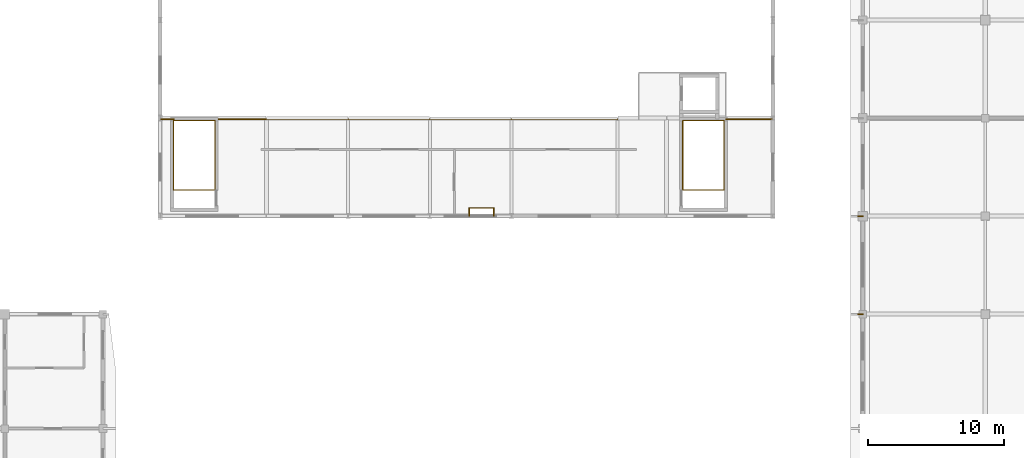
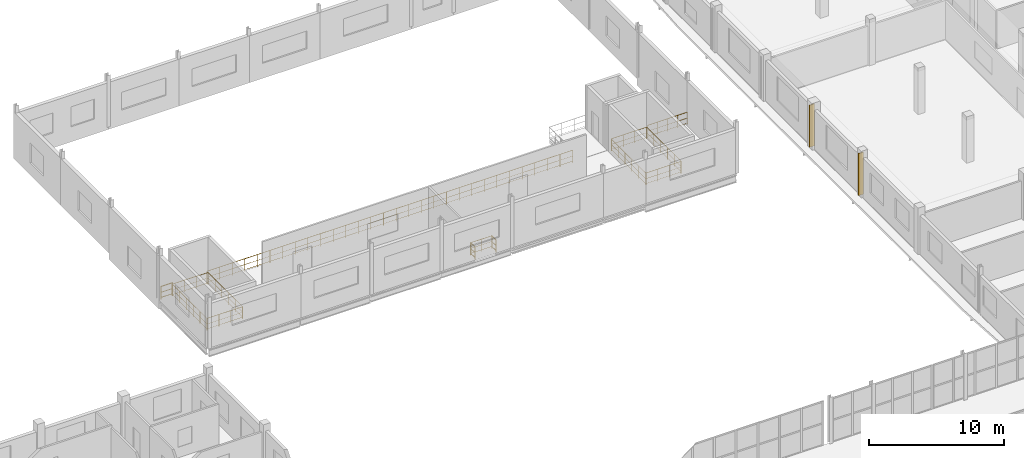
# One storey, part 118 of 121: 14 railings, 2 shading devices.
"""IFC4 building model written with IfcOpenShell, lengths in metres."""

from ifc_helpers import new_model, si_unit, direction, frame, origin, origin_2d, place, context, subcontext, project, spatial, rectangle, circle, extrude, material, type_object, element, save


model = new_model("IFC4")

# Units and contexts
model_context = context("Model", 3, precision=1e-05, world=origin(), true_north=direction((0.0, 1.0)))
body_context = subcontext(model_context, "Body", "Model", "MODEL_VIEW")
ifc_project = project(units=[si_unit("LENGTHUNIT", "METRE"), si_unit("AREAUNIT", "SQUARE_METRE"), si_unit("VOLUMEUNIT", "CUBIC_METRE"), si_unit("PLANEANGLEUNIT", "RADIAN"), si_unit("MASSUNIT", "GRAM", prefix="KILO")], contexts=[model_context])

# Site, building, storey
site_placement = place(None, origin())
site = spatial("IfcSite", under=ifc_project, at=site_placement, CompositionType="ELEMENT")
building_placement = place(site_placement, origin())
building = spatial("IfcBuilding", under=site, at=building_placement, Name="Vinh Khe Railworks Police Headquarters", CompositionType="ELEMENT")
storey_placement = place(building_placement, frame((0.0, 0.0, 4.800048828125)))
storey = spatial("IfcBuildingStorey", under=building, at=storey_placement, Name="L01", CompositionType="ELEMENT", Elevation=4.800048828125)

# Railings
ifc_material_1 = material(Name="Dark steel and laminated safety glass", Category="steel")
railing_type_1 = type_object("IfcRailingType", Name="RL-ATRIUM-1150", PredefinedType="BALUSTRADE", material=ifc_material_1)
railing_1_placement = place(storey_placement, frame((26.449951171875, 145.1201171875, 0.0)))
element("IfcRailing", 1, at=railing_1_placement, inside=storey, type_object=railing_type_1, Name="Atrium and Terrace Guard Balustrade GR-V3-L01-MEZZW", PredefinedType="BALUSTRADE", context=body_context, shape_type="SweptSolid", body=[
    extrude(circle(Radius=0.02392578125, at=origin_2d()), frame((0.0, 0.0, 1.1259765625), z_axis=(1.0, 0.0, 0.0), x_axis=(0.0, 1.0, 0.0)), (0.0, 0.0, 1.0), 0.969970703125),
    extrude(circle(Radius=0.01416015625, at=origin_2d()), frame((0.0, 0.0, 0.137939453125), z_axis=(1.0, 0.0, 0.0), x_axis=(0.0, 1.0, 0.0)), (0.0, 0.0, 1.0), 0.969970703125),
    extrude(circle(Radius=0.01416015625, at=origin_2d()), frame((0.0, 0.0, 0.597900390625), z_axis=(1.0, 0.0, 0.0), x_axis=(0.0, 1.0, 0.0)), (0.0, 0.0, 1.0), 0.969970703125),
    extrude(circle(Radius=0.02099609375, at=origin_2d()), origin(), (0.0, 0.0, 1.0), 1.101806640625),
    extrude(circle(Radius=0.02099609375, at=origin_2d()), frame((0.969970703125, 0.0, 0.0)), (0.0, 0.0, 1.0), 1.101806640625),
])
railing_2_placement = place(storey_placement, frame((30.3798828125, 145.1201171875, 0.0)))
element("IfcRailing", 2, at=railing_2_placement, inside=storey, type_object=railing_type_1, Name="Atrium and Terrace Guard Balustrade GR-V3-L01-MEZZM", PredefinedType="BALUSTRADE", context=body_context, shape_type="SweptSolid", body=[
    extrude(circle(Radius=0.02392578125, at=origin_2d()), frame((0.0, 0.0, 1.1259765625), z_axis=(1.0, 0.0, 0.0), x_axis=(0.0, 1.0, 0.0)), (0.0, 0.0, 1.0), 31.170166015625),
    extrude(circle(Radius=0.01416015625, at=origin_2d()), frame((0.0, 0.0, 0.137939453125), z_axis=(1.0, 0.0, 0.0), x_axis=(0.0, 1.0, 0.0)), (0.0, 0.0, 1.0), 31.170166015625),
    extrude(circle(Radius=0.01416015625, at=origin_2d()), frame((0.0, 0.0, 0.597900390625), z_axis=(1.0, 0.0, 0.0), x_axis=(0.0, 1.0, 0.0)), (0.0, 0.0, 1.0), 31.170166015625),
    extrude(circle(Radius=0.02099609375, at=origin_2d()), origin(), (0.0, 0.0, 1.0), 1.101806640625),
    extrude(circle(Radius=0.02099609375, at=origin_2d()), frame((1.074951171875, 0.0, 0.0)), (0.0, 0.0, 1.0), 1.101806640625),
    extrude(circle(Radius=0.02099609375, at=origin_2d()), frame((2.149658203125, 0.0, 0.0)), (0.0, 0.0, 1.0), 1.101806640625),
    extrude(circle(Radius=0.02099609375, at=origin_2d()), frame((3.224609375, 0.0, 0.0)), (0.0, 0.0, 1.0), 1.101806640625),
    extrude(circle(Radius=0.02099609375, at=origin_2d()), frame((4.29931640625, 0.0, 0.0)), (0.0, 0.0, 1.0), 1.101806640625),
    extrude(circle(Radius=0.02099609375, at=origin_2d()), frame((5.374267578125, 0.0, 0.0)), (0.0, 0.0, 1.0), 1.101806640625),
    extrude(circle(Radius=0.02099609375, at=origin_2d()), frame((6.448974609375, 0.0, 0.0)), (0.0, 0.0, 1.0), 1.101806640625),
    extrude(circle(Radius=0.02099609375, at=origin_2d()), frame((7.52392578125, 0.0, 0.0)), (0.0, 0.0, 1.0), 1.101806640625),
    extrude(circle(Radius=0.02099609375, at=origin_2d()), frame((8.5986328125, 0.0, 0.0)), (0.0, 0.0, 1.0), 1.101806640625),
    extrude(circle(Radius=0.02099609375, at=origin_2d()), frame((9.673583984375, 0.0, 0.0)), (0.0, 0.0, 1.0), 1.101806640625),
    extrude(circle(Radius=0.02099609375, at=origin_2d()), frame((10.748291015625, 0.0, 0.0)), (0.0, 0.0, 1.0), 1.101806640625),
    extrude(circle(Radius=0.02099609375, at=origin_2d()), frame((11.8232421875, 0.0, 0.0)), (0.0, 0.0, 1.0), 1.101806640625),
    extrude(circle(Radius=0.02099609375, at=origin_2d()), frame((12.89794921875, 0.0, 0.0)), (0.0, 0.0, 1.0), 1.101806640625),
    extrude(circle(Radius=0.02099609375, at=origin_2d()), frame((13.972900390625, 0.0, 0.0)), (0.0, 0.0, 1.0), 1.101806640625),
    extrude(circle(Radius=0.02099609375, at=origin_2d()), frame((15.047607421875, 0.0, 0.0)), (0.0, 0.0, 1.0), 1.101806640625),
    extrude(circle(Radius=0.02099609375, at=origin_2d()), frame((16.12255859375, 0.0, 0.0)), (0.0, 0.0, 1.0), 1.101806640625),
    extrude(circle(Radius=0.02099609375, at=origin_2d()), frame((17.197265625, 0.0, 0.0)), (0.0, 0.0, 1.0), 1.101806640625),
    extrude(circle(Radius=0.02099609375, at=origin_2d()), frame((18.272216796875, 0.0, 0.0)), (0.0, 0.0, 1.0), 1.101806640625),
    extrude(circle(Radius=0.02099609375, at=origin_2d()), frame((19.346923828125, 0.0, 0.0)), (0.0, 0.0, 1.0), 1.101806640625),
    extrude(circle(Radius=0.02099609375, at=origin_2d()), frame((20.421875, 0.0, 0.0)), (0.0, 0.0, 1.0), 1.101806640625),
    extrude(circle(Radius=0.02099609375, at=origin_2d()), frame((21.49658203125, 0.0, 0.0)), (0.0, 0.0, 1.0), 1.101806640625),
    extrude(circle(Radius=0.02099609375, at=origin_2d()), frame((22.571533203125, 0.0, 0.0)), (0.0, 0.0, 1.0), 1.101806640625),
    extrude(circle(Radius=0.02099609375, at=origin_2d()), frame((23.646240234375, 0.0, 0.0)), (0.0, 0.0, 1.0), 1.101806640625),
    extrude(circle(Radius=0.02099609375, at=origin_2d()), frame((24.72119140625, 0.0, 0.0)), (0.0, 0.0, 1.0), 1.101806640625),
    extrude(circle(Radius=0.02099609375, at=origin_2d()), frame((25.7958984375, 0.0, 0.0)), (0.0, 0.0, 1.0), 1.101806640625),
    extrude(circle(Radius=0.02099609375, at=origin_2d()), frame((26.870849609375, 0.0, 0.0)), (0.0, 0.0, 1.0), 1.101806640625),
    extrude(circle(Radius=0.02099609375, at=origin_2d()), frame((27.945556640625, 0.0, 0.0)), (0.0, 0.0, 1.0), 1.101806640625),
    extrude(circle(Radius=0.02099609375, at=origin_2d()), frame((29.0205078125, 0.0, 0.0)), (0.0, 0.0, 1.0), 1.101806640625),
    extrude(circle(Radius=0.02099609375, at=origin_2d()), frame((30.09521484375, 0.0, 0.0)), (0.0, 0.0, 1.0), 1.101806640625),
    extrude(circle(Radius=0.02099609375, at=origin_2d()), frame((31.170166015625, 0.0, 0.0)), (0.0, 0.0, 1.0), 1.101806640625),
])
railing_3_placement = place(storey_placement, frame((67.949951171875, 145.1201171875, 0.0)))
element("IfcRailing", 3, at=railing_3_placement, inside=storey, type_object=railing_type_1, Name="Atrium and Terrace Guard Balustrade GR-V3-L01-MEZZE", PredefinedType="BALUSTRADE", context=body_context, shape_type="SweptSolid", body=[
    extrude(circle(Radius=0.02392578125, at=origin_2d()), frame((0.0, 0.0, 1.1259765625), z_axis=(1.0, 0.0, 0.0), x_axis=(0.0, 1.0, 0.0)), (0.0, 0.0, 1.0), 3.400146484375),
    extrude(circle(Radius=0.01416015625, at=origin_2d()), frame((0.0, 0.0, 0.137939453125), z_axis=(1.0, 0.0, 0.0), x_axis=(0.0, 1.0, 0.0)), (0.0, 0.0, 1.0), 3.400146484375),
    extrude(circle(Radius=0.01416015625, at=origin_2d()), frame((0.0, 0.0, 0.597900390625), z_axis=(1.0, 0.0, 0.0), x_axis=(0.0, 1.0, 0.0)), (0.0, 0.0, 1.0), 3.400146484375),
    extrude(circle(Radius=0.02099609375, at=origin_2d()), origin(), (0.0, 0.0, 1.0), 1.101806640625),
    extrude(circle(Radius=0.02099609375, at=origin_2d()), frame((0.85009765625, 0.0, 0.0)), (0.0, 0.0, 1.0), 1.101806640625),
    extrude(circle(Radius=0.02099609375, at=origin_2d()), frame((1.7001953125, 0.0, 0.0)), (0.0, 0.0, 1.0), 1.101806640625),
    extrude(circle(Radius=0.02099609375, at=origin_2d()), frame((2.550048828125, 0.0, 0.0)), (0.0, 0.0, 1.0), 1.101806640625),
    extrude(circle(Radius=0.02099609375, at=origin_2d()), frame((3.400146484375, 0.0, 0.0)), (0.0, 0.0, 1.0), 1.101806640625),
])
ifc_material_2 = material(Name="Painted tubular steel", Category="steel")
railing_type_2 = type_object("IfcRailingType", Name="RL-GUARD-1100", PredefinedType="GUARDRAIL", material=ifc_material_2)
railing_4_placement = place(storey_placement, frame((64.780029296875, 139.93994140625, 0.0)))
element("IfcRailing", 4, at=railing_4_placement, inside=storey, type_object=railing_type_2, Name="L01 ST-06 top well guard 1", PredefinedType="GUARDRAIL", context=body_context, shape_type="SweptSolid", body=[
    extrude(circle(Radius=0.02392578125, at=origin_2d()), frame((0.0, 0.0, 1.076171875), z_axis=(0.0, 1.0, 0.0), x_axis=(-1.0, 0.0, 0.0)), (0.0, 0.0, 1.0), 5.070068359375),
    extrude(circle(Radius=0.01416015625, at=origin_2d()), frame((0.0, 0.0, 0.132080078125), z_axis=(0.0, 1.0, 0.0), x_axis=(-1.0, 0.0, 0.0)), (0.0, 0.0, 1.0), 5.070068359375),
    extrude(circle(Radius=0.01416015625, at=origin_2d()), frame((0.0, 0.0, 0.572021484375), z_axis=(0.0, 1.0, 0.0), x_axis=(-1.0, 0.0, 0.0)), (0.0, 0.0, 1.0), 5.070068359375),
    extrude(circle(Radius=0.02099609375, at=origin_2d()), origin(), (0.0, 0.0, 1.0), 1.052001953125),
    extrude(circle(Radius=0.02099609375, at=origin_2d()), frame((0.0, 1.013916015625, 0.0)), (0.0, 0.0, 1.0), 1.052001953125),
    extrude(circle(Radius=0.02099609375, at=origin_2d()), frame((0.0, 2.028076171875, 0.0)), (0.0, 0.0, 1.0), 1.052001953125),
    extrude(circle(Radius=0.02099609375, at=origin_2d()), frame((0.0, 3.0419921875, 0.0)), (0.0, 0.0, 1.0), 1.052001953125),
    extrude(circle(Radius=0.02099609375, at=origin_2d()), frame((0.0, 4.05615234375, 0.0)), (0.0, 0.0, 1.0), 1.052001953125),
    extrude(circle(Radius=0.02099609375, at=origin_2d()), frame((0.0, 5.070068359375, 0.0)), (0.0, 0.0, 1.0), 1.052001953125),
])
railing_5_placement = place(storey_placement, frame((64.81005859375, 145.02001953125, 0.0)))
element("IfcRailing", 5, at=railing_5_placement, inside=storey, type_object=railing_type_2, Name="L01 ST-06 top well guard 2", PredefinedType="GUARDRAIL", context=body_context, shape_type="SweptSolid", body=[
    extrude(circle(Radius=0.02392578125, at=origin_2d()), frame((0.0, 0.0, 1.076171875), z_axis=(1.0, 0.0, 0.0), x_axis=(0.0, 1.0, 0.0)), (0.0, 0.0, 1.0), 2.97998046875),
    extrude(circle(Radius=0.01416015625, at=origin_2d()), frame((0.0, 0.0, 0.132080078125), z_axis=(1.0, 0.0, 0.0), x_axis=(0.0, 1.0, 0.0)), (0.0, 0.0, 1.0), 2.97998046875),
    extrude(circle(Radius=0.01416015625, at=origin_2d()), frame((0.0, 0.0, 0.572021484375), z_axis=(1.0, 0.0, 0.0), x_axis=(0.0, 1.0, 0.0)), (0.0, 0.0, 1.0), 2.97998046875),
    extrude(circle(Radius=0.02099609375, at=origin_2d()), origin(), (0.0, 0.0, 1.0), 1.052001953125),
    extrude(circle(Radius=0.02099609375, at=origin_2d()), frame((0.993408203125, 0.0, 0.0)), (0.0, 0.0, 1.0), 1.052001953125),
    extrude(circle(Radius=0.02099609375, at=origin_2d()), frame((1.986572265625, 0.0, 0.0)), (0.0, 0.0, 1.0), 1.052001953125),
    extrude(circle(Radius=0.02099609375, at=origin_2d()), frame((2.97998046875, 0.0, 0.0)), (0.0, 0.0, 1.0), 1.052001953125),
])
railing_6_placement = place(storey_placement, frame((67.820068359375, 145.010009765625, 0.0)))
element("IfcRailing", 6, at=railing_6_placement, inside=storey, type_object=railing_type_2, Name="L01 ST-06 top well guard 3", PredefinedType="GUARDRAIL", context=body_context, shape_type="SweptSolid", body=[
    extrude(circle(Radius=0.02392578125, at=origin_2d()), frame((0.0, 0.0, 1.076171875), z_axis=(0.0, -1.0, 0.0), x_axis=(1.0, 0.0, 0.0)), (0.0, 0.0, 1.0), 5.070068359375),
    extrude(circle(Radius=0.01416015625, at=origin_2d()), frame((0.0, 0.0, 0.132080078125), z_axis=(0.0, -1.0, 0.0), x_axis=(1.0, 0.0, 0.0)), (0.0, 0.0, 1.0), 5.070068359375),
    extrude(circle(Radius=0.01416015625, at=origin_2d()), frame((0.0, 0.0, 0.572021484375), z_axis=(0.0, -1.0, 0.0), x_axis=(1.0, 0.0, 0.0)), (0.0, 0.0, 1.0), 5.070068359375),
    extrude(circle(Radius=0.02099609375, at=origin_2d()), origin(), (0.0, 0.0, 1.0), 1.052001953125),
    extrude(circle(Radius=0.02099609375, at=origin_2d()), frame((0.0, -1.013916015625, 0.0)), (0.0, 0.0, 1.0), 1.052001953125),
    extrude(circle(Radius=0.02099609375, at=origin_2d()), frame((0.0, -2.028076171875, 0.0)), (0.0, 0.0, 1.0), 1.052001953125),
    extrude(circle(Radius=0.02099609375, at=origin_2d()), frame((0.0, -3.0419921875, 0.0)), (0.0, 0.0, 1.0), 1.052001953125),
    extrude(circle(Radius=0.02099609375, at=origin_2d()), frame((0.0, -4.05615234375, 0.0)), (0.0, 0.0, 1.0), 1.052001953125),
    extrude(circle(Radius=0.02099609375, at=origin_2d()), frame((0.0, -5.070068359375, 0.0)), (0.0, 0.0, 1.0), 1.052001953125),
])
railing_7_placement = place(storey_placement, frame((67.7900390625, 139.919921875, 0.0)))
element("IfcRailing", 7, at=railing_7_placement, inside=storey, type_object=railing_type_2, Name="L01 ST-06 top well guard 4", PredefinedType="GUARDRAIL", context=body_context, shape_type="SweptSolid", body=[
    extrude(circle(Radius=0.02392578125, at=origin_2d()), frame((0.0, 0.0, 1.076171875), z_axis=(-1.0, 0.0, 0.0), x_axis=(0.0, -1.0, 0.0)), (0.0, 0.0, 1.0), 2.97998046875),
    extrude(circle(Radius=0.01416015625, at=origin_2d()), frame((0.0, 0.0, 0.132080078125), z_axis=(-1.0, 0.0, 0.0), x_axis=(0.0, -1.0, 0.0)), (0.0, 0.0, 1.0), 2.97998046875),
    extrude(circle(Radius=0.01416015625, at=origin_2d()), frame((0.0, 0.0, 0.572021484375), z_axis=(-1.0, 0.0, 0.0), x_axis=(0.0, -1.0, 0.0)), (0.0, 0.0, 1.0), 2.97998046875),
    extrude(circle(Radius=0.02099609375, at=origin_2d()), origin(), (0.0, 0.0, 1.0), 1.052001953125),
    extrude(circle(Radius=0.02099609375, at=origin_2d()), frame((-0.993408203125, 0.0, 0.0)), (0.0, 0.0, 1.0), 1.052001953125),
    extrude(circle(Radius=0.02099609375, at=origin_2d()), frame((-1.986572265625, 0.0, 0.0)), (0.0, 0.0, 1.0), 1.052001953125),
    extrude(circle(Radius=0.02099609375, at=origin_2d()), frame((-2.97998046875, 0.0, 0.0)), (0.0, 0.0, 1.0), 1.052001953125),
])
railing_8_placement = place(storey_placement, frame((27.3798828125, 139.93994140625, 0.0)))
element("IfcRailing", 8, at=railing_8_placement, inside=storey, type_object=railing_type_2, Name="L01 ST-07 top well guard 1", PredefinedType="GUARDRAIL", context=body_context, shape_type="SweptSolid", body=[
    extrude(circle(Radius=0.02392578125, at=origin_2d()), frame((0.0, 0.0, 1.076171875), z_axis=(0.0, 1.0, 0.0), x_axis=(-1.0, 0.0, 0.0)), (0.0, 0.0, 1.0), 5.070068359375),
    extrude(circle(Radius=0.01416015625, at=origin_2d()), frame((0.0, 0.0, 0.132080078125), z_axis=(0.0, 1.0, 0.0), x_axis=(-1.0, 0.0, 0.0)), (0.0, 0.0, 1.0), 5.070068359375),
    extrude(circle(Radius=0.01416015625, at=origin_2d()), frame((0.0, 0.0, 0.572021484375), z_axis=(0.0, 1.0, 0.0), x_axis=(-1.0, 0.0, 0.0)), (0.0, 0.0, 1.0), 5.070068359375),
    extrude(circle(Radius=0.02099609375, at=origin_2d()), origin(), (0.0, 0.0, 1.0), 1.052001953125),
    extrude(circle(Radius=0.02099609375, at=origin_2d()), frame((0.0, 1.013916015625, 0.0)), (0.0, 0.0, 1.0), 1.052001953125),
    extrude(circle(Radius=0.02099609375, at=origin_2d()), frame((0.0, 2.028076171875, 0.0)), (0.0, 0.0, 1.0), 1.052001953125),
    extrude(circle(Radius=0.02099609375, at=origin_2d()), frame((0.0, 3.0419921875, 0.0)), (0.0, 0.0, 1.0), 1.052001953125),
    extrude(circle(Radius=0.02099609375, at=origin_2d()), frame((0.0, 4.05615234375, 0.0)), (0.0, 0.0, 1.0), 1.052001953125),
    extrude(circle(Radius=0.02099609375, at=origin_2d()), frame((0.0, 5.070068359375, 0.0)), (0.0, 0.0, 1.0), 1.052001953125),
])
railing_9_placement = place(storey_placement, frame((27.409912109375, 145.02001953125, 0.0)))
element("IfcRailing", 9, at=railing_9_placement, inside=storey, type_object=railing_type_2, Name="L01 ST-07 top well guard 2", PredefinedType="GUARDRAIL", context=body_context, shape_type="SweptSolid", body=[
    extrude(circle(Radius=0.02392578125, at=origin_2d()), frame((0.0, 0.0, 1.076171875), z_axis=(1.0, 0.0, 0.0), x_axis=(0.0, 1.0, 0.0)), (0.0, 0.0, 1.0), 2.97998046875),
    extrude(circle(Radius=0.01416015625, at=origin_2d()), frame((0.0, 0.0, 0.132080078125), z_axis=(1.0, 0.0, 0.0), x_axis=(0.0, 1.0, 0.0)), (0.0, 0.0, 1.0), 2.97998046875),
    extrude(circle(Radius=0.01416015625, at=origin_2d()), frame((0.0, 0.0, 0.572021484375), z_axis=(1.0, 0.0, 0.0), x_axis=(0.0, 1.0, 0.0)), (0.0, 0.0, 1.0), 2.97998046875),
    extrude(circle(Radius=0.02099609375, at=origin_2d()), origin(), (0.0, 0.0, 1.0), 1.052001953125),
    extrude(circle(Radius=0.02099609375, at=origin_2d()), frame((0.993408203125, 0.0, 0.0)), (0.0, 0.0, 1.0), 1.052001953125),
    extrude(circle(Radius=0.02099609375, at=origin_2d()), frame((1.986572265625, 0.0, 0.0)), (0.0, 0.0, 1.0), 1.052001953125),
    extrude(circle(Radius=0.02099609375, at=origin_2d()), frame((2.97998046875, 0.0, 0.0)), (0.0, 0.0, 1.0), 1.052001953125),
])
railing_10_placement = place(storey_placement, frame((30.419921875, 145.010009765625, 0.0)))
element("IfcRailing", 10, at=railing_10_placement, inside=storey, type_object=railing_type_2, Name="L01 ST-07 top well guard 3", PredefinedType="GUARDRAIL", context=body_context, shape_type="SweptSolid", body=[
    extrude(circle(Radius=0.02392578125, at=origin_2d()), frame((0.0, 0.0, 1.076171875), z_axis=(0.0, -1.0, 0.0), x_axis=(1.0, 0.0, 0.0)), (0.0, 0.0, 1.0), 5.070068359375),
    extrude(circle(Radius=0.01416015625, at=origin_2d()), frame((0.0, 0.0, 0.132080078125), z_axis=(0.0, -1.0, 0.0), x_axis=(1.0, 0.0, 0.0)), (0.0, 0.0, 1.0), 5.070068359375),
    extrude(circle(Radius=0.01416015625, at=origin_2d()), frame((0.0, 0.0, 0.572021484375), z_axis=(0.0, -1.0, 0.0), x_axis=(1.0, 0.0, 0.0)), (0.0, 0.0, 1.0), 5.070068359375),
    extrude(circle(Radius=0.02099609375, at=origin_2d()), origin(), (0.0, 0.0, 1.0), 1.052001953125),
    extrude(circle(Radius=0.02099609375, at=origin_2d()), frame((0.0, -1.013916015625, 0.0)), (0.0, 0.0, 1.0), 1.052001953125),
    extrude(circle(Radius=0.02099609375, at=origin_2d()), frame((0.0, -2.028076171875, 0.0)), (0.0, 0.0, 1.0), 1.052001953125),
    extrude(circle(Radius=0.02099609375, at=origin_2d()), frame((0.0, -3.0419921875, 0.0)), (0.0, 0.0, 1.0), 1.052001953125),
    extrude(circle(Radius=0.02099609375, at=origin_2d()), frame((0.0, -4.05615234375, 0.0)), (0.0, 0.0, 1.0), 1.052001953125),
    extrude(circle(Radius=0.02099609375, at=origin_2d()), frame((0.0, -5.070068359375, 0.0)), (0.0, 0.0, 1.0), 1.052001953125),
])
railing_11_placement = place(storey_placement, frame((30.389892578125, 139.919921875, 0.0)))
element("IfcRailing", 11, at=railing_11_placement, inside=storey, type_object=railing_type_2, Name="L01 ST-07 top well guard 4", PredefinedType="GUARDRAIL", context=body_context, shape_type="SweptSolid", body=[
    extrude(circle(Radius=0.02392578125, at=origin_2d()), frame((0.0, 0.0, 1.076171875), z_axis=(-1.0, 0.0, 0.0), x_axis=(0.0, -1.0, 0.0)), (0.0, 0.0, 1.0), 2.97998046875),
    extrude(circle(Radius=0.01416015625, at=origin_2d()), frame((0.0, 0.0, 0.132080078125), z_axis=(-1.0, 0.0, 0.0), x_axis=(0.0, -1.0, 0.0)), (0.0, 0.0, 1.0), 2.97998046875),
    extrude(circle(Radius=0.01416015625, at=origin_2d()), frame((0.0, 0.0, 0.572021484375), z_axis=(-1.0, 0.0, 0.0), x_axis=(0.0, -1.0, 0.0)), (0.0, 0.0, 1.0), 2.97998046875),
    extrude(circle(Radius=0.02099609375, at=origin_2d()), origin(), (0.0, 0.0, 1.0), 1.052001953125),
    extrude(circle(Radius=0.02099609375, at=origin_2d()), frame((-0.993408203125, 0.0, 0.0)), (0.0, 0.0, 1.0), 1.052001953125),
    extrude(circle(Radius=0.02099609375, at=origin_2d()), frame((-1.986572265625, 0.0, 0.0)), (0.0, 0.0, 1.0), 1.052001953125),
    extrude(circle(Radius=0.02099609375, at=origin_2d()), frame((-2.97998046875, 0.0, 0.0)), (0.0, 0.0, 1.0), 1.052001953125),
])
railing_12_placement = place(storey_placement, frame((49.10009765625, 138.0, 0.0)))
element("IfcRailing", 12, at=railing_12_placement, inside=storey, type_object=railing_type_2, Name="Slab Corner Notch Guard L01-50", PredefinedType="GUARDRAIL", context=body_context, shape_type="SweptSolid", body=[
    extrude(circle(Radius=0.02392578125, at=origin_2d()), frame((0.0, 0.0, 1.09619140625), z_axis=(0.0, 1.0, 0.0), x_axis=(-1.0, 0.0, 0.0)), (0.0, 0.0, 1.0), 0.60009765625),
    extrude(circle(Radius=0.01416015625, at=origin_2d()), frame((0.0, 0.0, 0.134521484375), z_axis=(0.0, 1.0, 0.0), x_axis=(-1.0, 0.0, 0.0)), (0.0, 0.0, 1.0), 0.60009765625),
    extrude(circle(Radius=0.01416015625, at=origin_2d()), frame((0.0, 0.0, 0.58251953125), z_axis=(0.0, 1.0, 0.0), x_axis=(-1.0, 0.0, 0.0)), (0.0, 0.0, 1.0), 0.60009765625),
    extrude(circle(Radius=0.02099609375, at=origin_2d()), origin(), (0.0, 0.0, 1.0), 1.072021484375),
    extrude(circle(Radius=0.02099609375, at=origin_2d()), frame((0.0, 0.60009765625, 0.0)), (0.0, 0.0, 1.0), 1.072021484375),
])
railing_13_placement = place(storey_placement, frame((49.10009765625, 138.60009765625, 0.0)))
element("IfcRailing", 13, at=railing_13_placement, inside=storey, type_object=railing_type_2, Name="Slab Corner Notch Guard L01-51", PredefinedType="GUARDRAIL", context=body_context, shape_type="SweptSolid", body=[
    extrude(circle(Radius=0.02392578125, at=origin_2d()), frame((0.0, 0.0, 1.09619140625), z_axis=(1.0, 0.0, 0.0), x_axis=(0.0, 1.0, 0.0)), (0.0, 0.0, 1.0), 1.7998046875),
    extrude(circle(Radius=0.01416015625, at=origin_2d()), frame((0.0, 0.0, 0.134521484375), z_axis=(1.0, 0.0, 0.0), x_axis=(0.0, 1.0, 0.0)), (0.0, 0.0, 1.0), 1.7998046875),
    extrude(circle(Radius=0.01416015625, at=origin_2d()), frame((0.0, 0.0, 0.58251953125), z_axis=(1.0, 0.0, 0.0), x_axis=(0.0, 1.0, 0.0)), (0.0, 0.0, 1.0), 1.7998046875),
    extrude(circle(Radius=0.02099609375, at=origin_2d()), origin(), (0.0, 0.0, 1.0), 1.072021484375),
    extrude(circle(Radius=0.02099609375, at=origin_2d()), frame((0.89990234375, 0.0, 0.0)), (0.0, 0.0, 1.0), 1.072021484375),
    extrude(circle(Radius=0.02099609375, at=origin_2d()), frame((1.7998046875, 0.0, 0.0)), (0.0, 0.0, 1.0), 1.072021484375),
])
railing_14_placement = place(storey_placement, frame((50.89990234375, 138.60009765625, 0.0)))
element("IfcRailing", 14, at=railing_14_placement, inside=storey, type_object=railing_type_2, Name="Slab Corner Notch Guard L01-52", PredefinedType="GUARDRAIL", context=body_context, shape_type="SweptSolid", body=[
    extrude(circle(Radius=0.02392578125, at=origin_2d()), frame((0.0, 0.0, 1.09619140625), z_axis=(0.0, -1.0, 0.0), x_axis=(1.0, 0.0, 0.0)), (0.0, 0.0, 1.0), 0.60009765625),
    extrude(circle(Radius=0.01416015625, at=origin_2d()), frame((0.0, 0.0, 0.134521484375), z_axis=(0.0, -1.0, 0.0), x_axis=(1.0, 0.0, 0.0)), (0.0, 0.0, 1.0), 0.60009765625),
    extrude(circle(Radius=0.01416015625, at=origin_2d()), frame((0.0, 0.0, 0.58251953125), z_axis=(0.0, -1.0, 0.0), x_axis=(1.0, 0.0, 0.0)), (0.0, 0.0, 1.0), 0.60009765625),
    extrude(circle(Radius=0.02099609375, at=origin_2d()), origin(), (0.0, 0.0, 1.0), 1.072021484375),
    extrude(circle(Radius=0.02099609375, at=origin_2d()), frame((0.0, -0.60009765625, 0.0)), (0.0, 0.0, 1.0), 1.072021484375),
])

# Shading devices
ifc_material_3 = material(Name="Salvaged ironwood timber", Category="wood")
shading_device_type = type_object("IfcShadingDeviceType", Name="SHD-MSF-01", PredefinedType="JALOUSIE", material=ifc_material_3)
for number, where, z_axis, x_axis, name in (
    (15, (77.840087890625, 130.800048828125, 0.10009765625), (0.0, 0.0, 1.0), (1.0, 0.0, 0.0), "Monsoon Court Solar Fin V6 L01-1"),
    (16, (77.840087890625, 138.0, 0.10009765625), (0.0, 0.0, 1.0), (1.0, 0.0, 0.0), "Monsoon Court Solar Fin V6 L01-2"),
):
    element("IfcShadingDevice", number, at=place(storey_placement, frame(where, z_axis=z_axis, x_axis=x_axis)), inside=storey, type_object=shading_device_type, Name=name, PredefinedType="JALOUSIE", context=body_context, shape_type="SweptSolid", body=[
        extrude(rectangle(XDim=0.419921875, YDim=0.080078125, at=origin_2d()), origin(), (0.0, 0.0, 1.0), 3.780029296875),
    ])

save(model, "model.ifc")
